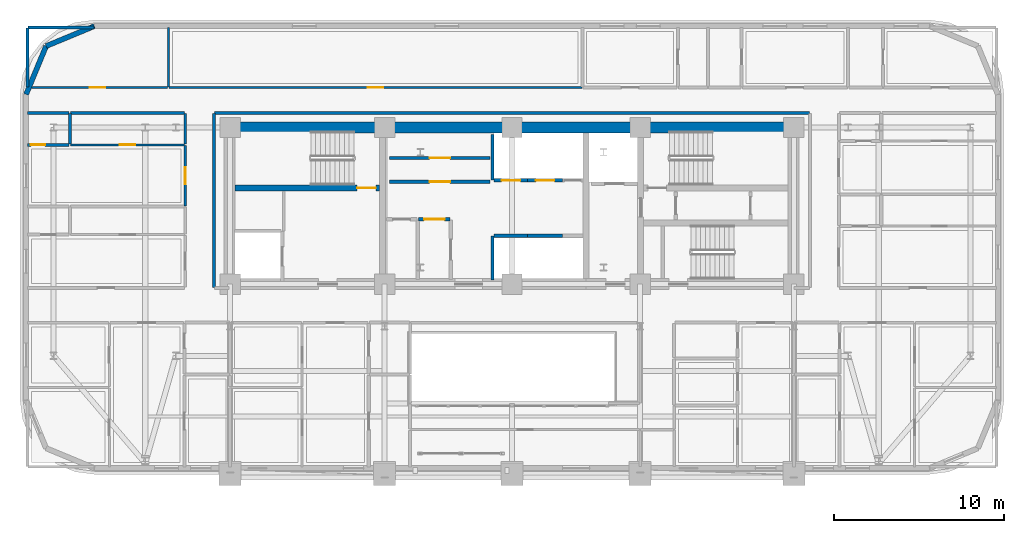
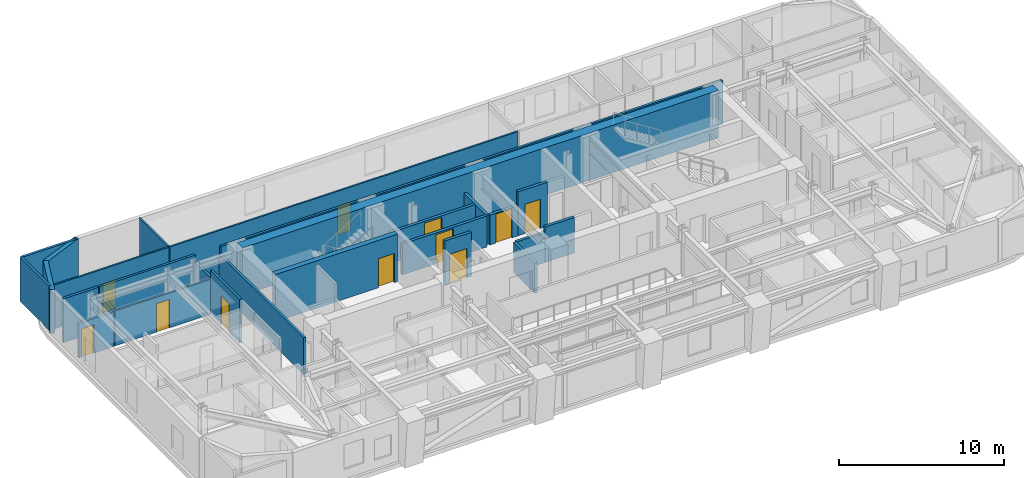
# One storey, part 10 of 16: 27 walls, 11 doors, 11 openings.
"""IFC4 building model written with IfcOpenShell, lengths in metres."""

from ifc_helpers import new_model, si_unit, direction, frame, frame_2d, origin, place, context, subcontext, project, spatial, rectangle, extrude, material, layer, layer_set, type_object, element, fill, save


model = new_model("IFC4")

# Units and contexts
model_context = context("Model", 3, precision=1e-05, world=origin(), true_north=direction((0.0, 1.0)))
body_context = subcontext(model_context, "Body", "Model", "MODEL_VIEW")
ifc_project = project(units=[si_unit("LENGTHUNIT", "METRE"), si_unit("AREAUNIT", "SQUARE_METRE"), si_unit("VOLUMEUNIT", "CUBIC_METRE"), si_unit("PLANEANGLEUNIT", "RADIAN"), si_unit("MASSUNIT", "GRAM", prefix="KILO")], contexts=[model_context])

# Site, building, storey
site_placement = place(None, origin())
site = spatial("IfcSite", under=ifc_project, at=site_placement, CompositionType="ELEMENT")
building_placement = place(site_placement, origin())
building = spatial("IfcBuilding", under=site, at=building_placement, Name="Zarnavel Station Tower", CompositionType="ELEMENT")
storey_placement = place(building_placement, frame((0.0, 0.0, 104.800048828125)))
storey = spatial("IfcBuildingStorey", under=building, at=storey_placement, Name="L28", CompositionType="ELEMENT", Elevation=104.800048828125)

# Wall, opening, door
ifc_material_1 = material(Name="Concrete C50/60", Category="concrete")
ifc_layer_1 = layer(ifc_material_1, 0.35009765625)
ifc_layer_set_1 = layer_set([ifc_layer_1], Name="CW_350")
wall_type_1 = type_object("IfcWallType", Name="CW_350", PredefinedType="SHEAR", material=ifc_layer_set_1)
wall_1_placement = place(storey_placement, frame((21.0048828125, 33.47998046875, 0.0), z_axis=(0.0, 0.0, 1.0), x_axis=(-1.0, 0.0, 0.0)))
wall_1 = element("IfcWall", 1, at=wall_1_placement, inside=storey, type_object=wall_type_1, Name="L28 Rear Core Shear Wall DIV-H1", PredefinedType="SHEAR", context=body_context, shape_type="SweptSolid", body=[
    extrude(rectangle(XDim=8.52978515625, YDim=0.35009765625, at=frame_2d((4.264892578125, 0.0))), origin(), (0.0, 0.0, 1.0), 3.5),
])
opening_1_placement = place(wall_1_placement, frame((0.219970703125, 0.0, 0.0)))
opening_1 = element("IfcOpeningElement", 2, at=opening_1_placement, cuts=wall_1, Name="Opening FD01", PredefinedType="OPENING", context=body_context, shape_type="SweptSolid", body=[
    extrude(rectangle(XDim=1.10009765625, YDim=2.14990234375, at=frame_2d((0.550048828125, 1.074951171875))), frame((0.0, 0.18505859375, 0.0), z_axis=(0.0, -1.0, 0.0), x_axis=(1.0, 0.0, 0.0)), (0.0, 0.0, 1.0), 0.3701171875),
])
ifc_material_2 = material(Name="Painted Galvanised Steel and Hardwood Leaf", Category="steel")
door_type_1 = type_object("IfcDoorType", Name="ID_STAIR_1100", OperationType="NOTDEFINED", PredefinedType="DOOR", material=ifc_material_2)
door_1_placement = place(opening_1_placement, origin())
door_1 = element("IfcDoor", 3, at=door_1_placement, inside=storey, type_object=door_type_1, Name="L28 Stair ST1 Lobby Fire Door", OperationType="SINGLE_SWING_LEFT", OverallHeight=2.14990234375, OverallWidth=1.10009765625, PredefinedType="DOOR", context=body_context, shape_type="SweptSolid", body=[
    extrude(rectangle(XDim=1.10009765625, YDim=2.14990234375, at=frame_2d((0.550048828125, 1.074951171875))), frame((0.0, 0.02490234375, 0.0), z_axis=(0.0, -1.0, 0.0), x_axis=(1.0, 0.0, 0.0)), (0.0, 0.0, 1.0), 0.050048828125),
])
fill(opening_1, door_1)

# Walls
ifc_material_3 = material(Name="Concrete C60/75", Category="concrete")
ifc_layer_2 = layer(ifc_material_3, 0.64990234375)
ifc_layer_set_2 = layer_set([ifc_layer_2], Name="CW_650")
wall_type_2 = type_object("IfcWallType", Name="CW_650", PredefinedType="SHEAR", material=ifc_layer_set_2)
wall_2_placement = place(storey_placement, frame((12.14990234375, 37.050048828125, 0.0), z_axis=(0.0, 0.0, 1.0), x_axis=(1.0, 0.0, 0.0)))
element("IfcWall", 4, at=wall_2_placement, inside=storey, type_object=wall_type_2, Name="L28 Rear Core Shear Wall N", PredefinedType="SHEAR", context=body_context, shape_type="SweptSolid", body=[
    extrude(rectangle(XDim=33.22998046875, YDim=0.64990234375, at=frame_2d((16.614990234375, 0.0))), origin(), (0.0, 0.0, 1.0), 3.5),
])
ifc_material_4 = material(Name="Precast concrete C45/55 (Dark Basalt Finish)", Category="masonry")
ifc_layer_3 = layer(ifc_material_4, 0.300048828125)
ifc_layer_set_3 = layer_set([ifc_layer_3], Name="EW_BASALT_300")
wall_type_3 = type_object("IfcWallType", Name="EW_BASALT_300", PredefinedType="SOLIDWALL", material=ifc_layer_set_3)
for number, where, z_axis, x_axis, name in (
    (5, (1.357421875, 41.842529296875, 0.0), (0.0, 0.0, 1.0), (0.923870793506, 0.382704529509, 0.0), "L28 Exterior Basalt Masonry Frame Wall 07"),
    (6, (0.179931640625, 39.0, 0.0), (0.0, 0.0, 1.0), (0.382704529509, 0.923870793506, 0.0), "L28 Exterior Basalt Masonry Frame Wall 08"),
):
    element("IfcWall", number, at=place(storey_placement, frame(where, z_axis=z_axis, x_axis=x_axis)), inside=storey, type_object=wall_type_3, Name=name, PredefinedType="SOLIDWALL", context=body_context, shape_type="SweptSolid", body=[
        extrude(rectangle(XDim=3.07666015625, YDim=0.300048828125, at=frame_2d((1.538330078125, 0.0))), origin(), (0.0, 0.0, 1.0), 3.239990234375),
    ])

# Wall, opening, door
ifc_material_5 = material(Name="Gypsum Twin-Stud Acoustic Fire Partition", Category="concrete")
ifc_layer_4 = layer(ifc_material_5, 0.159912109375)
ifc_layer_set_4 = layer_set([ifc_layer_4], Name="PT_DEMISE_160")
wall_type_4 = type_object("IfcWallType", Name="PT_DEMISE_160", PredefinedType="PARTITIONING", material=ifc_layer_set_4)
wall_3_placement = place(storey_placement, frame((9.550048828125, 32.430908203125, 0.0), z_axis=(0.0, 0.0, 1.0), x_axis=(0.0, 1.0, 0.0)))
wall_3 = element("IfcWall", 7, at=wall_3_placement, inside=storey, type_object=wall_type_4, Name="L28 Partition COR-W-FNW2R", PredefinedType="PARTITIONING", context=body_context, shape_type="SweptSolid", body=[
    extrude(rectangle(XDim=3.55615234375, YDim=0.159912109375, at=frame_2d((1.778076171875, 0.0))), origin(), (0.0, 0.0, 1.0), 3.239990234375),
])
opening_2_placement = place(wall_3_placement, frame((1.278076171875, 0.0, 0.0)))
opening_2 = element("IfcOpeningElement", 8, at=opening_2_placement, cuts=wall_3, Name="Opening FD02", PredefinedType="OPENING", context=body_context, shape_type="SweptSolid", body=[
    extrude(rectangle(XDim=1.0, YDim=2.14990234375, at=frame_2d((0.5, 1.074951171875))), frame((0.0, 0.08984375, 0.0), z_axis=(0.0, -1.0, 0.0), x_axis=(1.0, 0.0, 0.0)), (0.0, 0.0, 1.0), 0.179931640625),
])
ifc_material_6 = material(Name="Painted Galvanised Steel and Hardwood Leaf", Category="steel")
door_type_2 = type_object("IfcDoorType", Name="ID_ENTRY_1000", OperationType="NOTDEFINED", PredefinedType="DOOR", material=ifc_material_6)
door_2_placement = place(opening_2_placement, origin())
door_2 = element("IfcDoor", 9, at=door_2_placement, inside=storey, type_object=door_type_2, Name="L28 Door COR-W-FNW2R", OperationType="SINGLE_SWING_RIGHT", OverallHeight=2.14990234375, OverallWidth=1.0, PredefinedType="DOOR", context=body_context, shape_type="SweptSolid", body=[
    extrude(rectangle(XDim=1.0, YDim=2.14990234375, at=frame_2d((0.5, 1.074951171875))), frame((0.0, 0.02490234375, 0.0), z_axis=(0.0, -1.0, 0.0), x_axis=(1.0, 0.0, 0.0)), (0.0, 0.0, 1.0), 0.050048828125),
])
fill(opening_2, door_2)

# Walls
wall_4_placement = place(storey_placement, frame((9.550048828125, 36.06689453125, 0.0), z_axis=(0.0, 0.0, 1.0), x_axis=(0.0, 1.0, 0.0)))
element("IfcWall", 10, at=wall_4_placement, inside=storey, type_object=wall_type_4, Name="L28 Partition COR-W-FNW2S", PredefinedType="PARTITIONING", context=body_context, shape_type="SweptSolid", body=[
    extrude(rectangle(XDim=1.793212890625, YDim=0.159912109375, at=frame_2d((0.896484375, 0.0))), origin(), (0.0, 0.0, 1.0), 2.719970703125),
])
wall_5_placement = place(storey_placement, frame((2.800048828125, 37.89990234375, 0.0), z_axis=(0.0, 0.0, 1.0), x_axis=(1.0, 0.0, 0.0)))
element("IfcWall", 11, at=wall_5_placement, inside=storey, type_object=wall_type_4, Name="L28 Partition COR-N-FNW2S", PredefinedType="PARTITIONING", context=body_context, shape_type="SweptSolid", body=[
    extrude(rectangle(XDim=6.7099609375, YDim=0.159912109375, at=frame_2d((3.35498046875, 0.0))), origin(), (0.0, 0.0, 1.0), 3.239990234375),
])
wall_6_placement = place(storey_placement, frame((11.25, 27.6298828125, 0.0), z_axis=(0.0, 0.0, 1.0), x_axis=(0.0, 1.0, 0.0)))
element("IfcWall", 12, at=wall_6_placement, inside=storey, type_object=wall_type_4, Name="L28 Enclosure Wall COR-W", PredefinedType="PARTITIONING", context=body_context, shape_type="SweptSolid", body=[
    extrude(rectangle(XDim=10.240234375, YDim=0.159912109375, at=frame_2d((5.1201171875, 0.0))), origin(), (0.0, 0.0, 1.0), 2.719970703125),
])
wall_7_placement = place(storey_placement, frame((11.280029296875, 37.89990234375, 0.0), z_axis=(0.0, 0.0, 1.0), x_axis=(1.0, 0.0, 0.0)))
element("IfcWall", 13, at=wall_7_placement, inside=storey, type_object=wall_type_4, Name="L28 Enclosure Wall COR-N", PredefinedType="PARTITIONING", context=body_context, shape_type="SweptSolid", body=[
    extrude(rectangle(XDim=35.0400390625, YDim=0.159912109375, at=frame_2d((17.52001953125, 0.0))), origin(), (0.0, 0.0, 1.0), 3.239990234375),
])
wall_8_placement = place(storey_placement, frame((0.2900390625, 42.93994140625, 0.0), z_axis=(0.0, 0.0, 1.0), x_axis=(1.0, 0.0, 0.0)))
element("IfcWall", 14, at=wall_8_placement, inside=storey, type_object=wall_type_4, Name="L28 Enclosure Wall HSKP", PredefinedType="PARTITIONING", context=body_context, shape_type="SweptSolid", body=[
    extrude(rectangle(XDim=3.8798828125, YDim=0.159912109375, at=frame_2d((1.93994140625, 0.0))), origin(), (0.0, 0.0, 1.0), 3.239990234375),
])
wall_9_placement = place(storey_placement, frame((0.260009765625, 39.429931640625, 0.0), z_axis=(0.0, 0.0, 1.0), x_axis=(0.0, 1.0, 0.0)))
element("IfcWall", 15, at=wall_9_placement, inside=storey, type_object=wall_type_4, Name="L28 Enclosure Wall HSKP", PredefinedType="PARTITIONING", context=body_context, shape_type="SweptSolid", body=[
    extrude(rectangle(XDim=3.47998046875, YDim=0.159912109375, at=frame_2d((1.739990234375, 0.0))), origin(), (0.0, 0.0, 1.0), 3.239990234375),
])

# Wall, opening, door
ifc_material_7 = material(Name="Gypsum Metal-Stud Interior Partition", Category="concrete")
ifc_layer_5 = layer(ifc_material_7, 0.1201171875)
ifc_layer_set_5 = layer_set([ifc_layer_5], Name="PT_ROOM_120")
wall_type_5 = type_object("IfcWallType", Name="PT_ROOM_120", PredefinedType="PARTITIONING", material=ifc_layer_set_5)
wall_10_placement = place(storey_placement, frame((0.260009765625, 39.39990234375, 0.0), z_axis=(0.0, 0.0, 1.0), x_axis=(1.0, 0.0, 0.0)))
wall_10 = element("IfcWall", 16, at=wall_10_placement, inside=storey, type_object=wall_type_5, Name="L28 Partition COR-N-HSKP", PredefinedType="PARTITIONING", context=body_context, shape_type="SweptSolid", body=[
    extrude(rectangle(XDim=8.260009765625, YDim=0.1201171875, at=frame_2d((4.1298828125, 0.0))), origin(), (0.0, 0.0, 1.0), 3.239990234375),
])
opening_3_placement = place(wall_10_placement, frame((3.679931640625, 0.0, 0.0)))
opening_3 = element("IfcOpeningElement", 17, at=opening_3_placement, cuts=wall_10, Name="Opening ID01", PredefinedType="OPENING", context=body_context, shape_type="SweptSolid", body=[
    extrude(rectangle(XDim=0.89990234375, YDim=2.10009765625, at=frame_2d((0.449951171875, 1.050048828125))), frame((0.0, 0.070068359375, 0.0), z_axis=(0.0, -1.0, 0.0), x_axis=(1.0, 0.0, 0.0)), (0.0, 0.0, 1.0), 0.14013671875),
])
ifc_material_8 = material(Name="Painted Galvanised Steel and Hardwood Leaf", Category="steel")
door_type_3 = type_object("IfcDoorType", Name="ID_ROOM_900", OperationType="NOTDEFINED", PredefinedType="DOOR", material=ifc_material_8)
door_3_placement = place(opening_3_placement, origin())
door_3 = element("IfcDoor", 18, at=door_3_placement, inside=storey, type_object=door_type_3, Name="L28 Door COR-N-HSKP", OperationType="SINGLE_SWING_LEFT", OverallHeight=2.10009765625, OverallWidth=0.89990234375, PredefinedType="DOOR", context=body_context, shape_type="SweptSolid", body=[
    extrude(rectangle(XDim=0.89990234375, YDim=2.10009765625, at=frame_2d((0.449951171875, 1.050048828125))), frame((0.0, 0.02490234375, 0.0), z_axis=(0.0, -1.0, 0.0), x_axis=(1.0, 0.0, 0.0)), (0.0, 0.0, 1.0), 0.050048828125),
])
fill(opening_3, door_3)

wall_11_placement = place(storey_placement, frame((8.60009765625, 39.39990234375, 0.0), z_axis=(0.0, 0.0, 1.0), x_axis=(1.0, 0.0, 0.0)))
wall_11 = element("IfcWall", 19, at=wall_11_placement, inside=storey, type_object=wall_type_5, Name="L28 Partition COR-N-NCLB", PredefinedType="PARTITIONING", context=body_context, shape_type="SweptSolid", body=[
    extrude(rectangle(XDim=24.309814453125, YDim=0.1201171875, at=frame_2d((12.15478515625, 0.0))), origin(), (0.0, 0.0, 1.0), 3.239990234375),
])
opening_4_placement = place(wall_11_placement, frame((11.705078125, 0.0, 0.0)))
opening_4 = element("IfcOpeningElement", 20, at=opening_4_placement, cuts=wall_11, Name="Opening ID01", PredefinedType="OPENING", context=body_context, shape_type="SweptSolid", body=[
    extrude(rectangle(XDim=0.89990234375, YDim=2.10009765625, at=frame_2d((0.449951171875, 1.050048828125))), frame((0.0, 0.070068359375, 0.0), z_axis=(0.0, -1.0, 0.0), x_axis=(1.0, 0.0, 0.0)), (0.0, 0.0, 1.0), 0.14013671875),
])
door_4_placement = place(opening_4_placement, origin())
door_4 = element("IfcDoor", 21, at=door_4_placement, inside=storey, type_object=door_type_3, Name="L28 Door COR-N-NCLB", OperationType="SINGLE_SWING_RIGHT", OverallHeight=2.10009765625, OverallWidth=0.89990234375, PredefinedType="DOOR", context=body_context, shape_type="SweptSolid", body=[
    extrude(rectangle(XDim=0.89990234375, YDim=2.10009765625, at=frame_2d((0.449951171875, 1.050048828125))), frame((0.0, 0.02490234375, 0.0), z_axis=(0.0, -1.0, 0.0), x_axis=(1.0, 0.0, 0.0)), (0.0, 0.0, 1.0), 0.050048828125),
])
fill(opening_4, door_4)

wall_12_placement = place(storey_placement, frame((2.800048828125, 36.027099609375, 0.0), z_axis=(0.0, 0.0, 1.0), x_axis=(1.0, 0.0, 0.0)))
wall_12 = element("IfcWall", 22, at=wall_12_placement, inside=storey, type_object=wall_type_5, Name="L28 Partition FNW2R-FNW2S", PredefinedType="PARTITIONING", context=body_context, shape_type="SweptSolid", body=[
    extrude(rectangle(XDim=6.7099609375, YDim=0.1201171875, at=frame_2d((3.35498046875, 0.0))), origin(), (0.0, 0.0, 1.0), 2.570068359375),
])
opening_5_placement = place(wall_12_placement, frame((2.905029296875, 0.0, 0.0)))
opening_5 = element("IfcOpeningElement", 23, at=opening_5_placement, cuts=wall_12, Name="Opening ID01", PredefinedType="OPENING", context=body_context, shape_type="SweptSolid", body=[
    extrude(rectangle(XDim=0.89990234375, YDim=2.10009765625, at=frame_2d((0.449951171875, 1.050048828125))), frame((0.0, 0.070068359375, 0.0), z_axis=(0.0, -1.0, 0.0), x_axis=(1.0, 0.0, 0.0)), (0.0, 0.0, 1.0), 0.14013671875),
])
door_5_placement = place(opening_5_placement, origin())
door_5 = element("IfcDoor", 24, at=door_5_placement, inside=storey, type_object=door_type_3, Name="L28 Door FNW2R-FNW2S", OperationType="SINGLE_SWING_RIGHT", OverallHeight=2.10009765625, OverallWidth=0.89990234375, PredefinedType="DOOR", context=body_context, shape_type="SweptSolid", body=[
    extrude(rectangle(XDim=0.89990234375, YDim=2.10009765625, at=frame_2d((0.449951171875, 1.050048828125))), frame((0.0, 0.02490234375, 0.0), z_axis=(0.0, -1.0, 0.0), x_axis=(1.0, 0.0, 0.0)), (0.0, 0.0, 1.0), 0.050048828125),
])
fill(opening_5, door_5)

# Walls
wall_13_placement = place(storey_placement, frame((8.56005859375, 39.43994140625, 0.0), z_axis=(0.0, 0.0, 1.0), x_axis=(0.0, 1.0, 0.0)))
element("IfcWall", 25, at=wall_13_placement, inside=storey, type_object=wall_type_5, Name="L28 Partition HSKP-NCLB", PredefinedType="PARTITIONING", context=body_context, shape_type="SweptSolid", body=[
    extrude(rectangle(XDim=3.5, YDim=0.1201171875, at=frame_2d((1.75, 0.0))), origin(), (0.0, 0.0, 1.0), 3.239990234375),
])
ifc_material_9 = material(Name="Precast concrete C45/55 (Fire Shaft Blockwork)", Category="masonry")
ifc_layer_6 = layer(ifc_material_9, 0.199951171875)
ifc_layer_set_6 = layer_set([ifc_layer_6], Name="PT_SHAFT_200")
wall_type_6 = type_object("IfcWallType", Name="PT_SHAFT_200", PredefinedType="PARTITIONING", material=ifc_layer_set_6)
wall_14_placement = place(storey_placement, frame((27.75, 30.669921875, 0.0), z_axis=(0.0, 0.0, 1.0), x_axis=(1.0, 0.0, 0.0)))
element("IfcWall", 26, at=wall_14_placement, inside=storey, type_object=wall_type_6, Name="L28 Lift PL-H1 Shaft Front Wall", PredefinedType="PARTITIONING", context=body_context, shape_type="SweptSolid", body=[
    extrude(rectangle(XDim=1.97509765625, YDim=0.199951171875, at=frame_2d((0.987548828125, 0.0))), origin(), (0.0, 0.0, 1.0), 2.2119140625),
])
wall_15_placement = place(storey_placement, frame((27.64990234375, 28.070068359375, 0.0), z_axis=(0.0, 0.0, 1.0), x_axis=(0.0, 1.0, 0.0)))
element("IfcWall", 27, at=wall_15_placement, inside=storey, type_object=wall_type_6, Name="L28 High-Rise Lift Bank West Shaft Wall", PredefinedType="PARTITIONING", context=body_context, shape_type="SweptSolid", body=[
    extrude(rectangle(XDim=2.579833984375, YDim=0.199951171875, at=frame_2d((1.2900390625, 0.0))), origin(), (0.0, 0.0, 1.0), 2.2119140625),
])
wall_16_placement = place(storey_placement, frame((29.72509765625, 30.669921875, 0.0), z_axis=(0.0, 0.0, 1.0), x_axis=(1.0, 0.0, 0.0)))
element("IfcWall", 28, at=wall_16_placement, inside=storey, type_object=wall_type_6, Name="L28 Lift PL-H2 Shaft Front Wall", PredefinedType="PARTITIONING", context=body_context, shape_type="SweptSolid", body=[
    extrude(rectangle(XDim=2.0498046875, YDim=0.199951171875, at=frame_2d((1.02490234375, 0.0))), origin(), (0.0, 0.0, 1.0), 2.619873046875),
])

# Wall, opening, door
wall_17_placement = place(storey_placement, frame((27.75, 33.929931640625, 0.0), z_axis=(0.0, 0.0, 1.0), x_axis=(1.0, 0.0, 0.0)))
wall_17 = element("IfcWall", 29, at=wall_17_placement, inside=storey, type_object=wall_type_6, Name="L28 Lift PL-M1 Shaft Front Wall", PredefinedType="PARTITIONING", context=body_context, shape_type="SweptSolid", body=[
    extrude(rectangle(XDim=1.97509765625, YDim=0.199951171875, at=frame_2d((0.987548828125, 0.0))), origin(), (0.0, 0.0, 1.0), 2.2119140625),
])
opening_6_placement = place(wall_17_placement, frame((0.4375, 0.0, 0.0)))
opening_6 = element("IfcOpeningElement", 30, at=opening_6_placement, cuts=wall_17, Name="Opening LD02", PredefinedType="OPENING", context=body_context, shape_type="SweptSolid", body=[
    extrude(rectangle(XDim=1.10009765625, YDim=2.14990234375, at=frame_2d((0.550048828125, 1.074951171875))), frame((0.0, 0.10986328125, 0.0), z_axis=(0.0, -1.0, 0.0), x_axis=(1.0, 0.0, 0.0)), (0.0, 0.0, 1.0), 0.219970703125),
])
ifc_material_10 = material(Name="Painted Galvanised Steel and Hardwood Leaf", Category="steel")
door_type_4 = type_object("IfcDoorType", Name="LD_PAX_1100", OperationType="DOUBLE_DOOR_SLIDING", PredefinedType="DOOR", material=ifc_material_10)
door_6_placement = place(opening_6_placement, origin())
door_6 = element("IfcDoor", 31, at=door_6_placement, inside=storey, type_object=door_type_4, Name="L28 Lift PL-M1 Sliding Landing Door", OperationType="DOUBLE_DOOR_SLIDING", OverallHeight=2.14990234375, OverallWidth=1.10009765625, PredefinedType="DOOR", context=body_context, shape_type="SweptSolid", body=[
    extrude(rectangle(XDim=1.10009765625, YDim=2.14990234375, at=frame_2d((0.550048828125, 1.074951171875))), frame((0.0, 0.02490234375, 0.0), z_axis=(0.0, -1.0, 0.0), x_axis=(1.0, 0.0, 0.0)), (0.0, 0.0, 1.0), 0.050048828125),
])
fill(opening_6, door_6)

# Wall
wall_18_placement = place(storey_placement, frame((27.64990234375, 33.949951171875, 0.0), z_axis=(0.0, 0.0, 1.0), x_axis=(0.0, 1.0, 0.0)))
element("IfcWall", 32, at=wall_18_placement, inside=storey, type_object=wall_type_6, Name="L28 Mid-Rise Lift Bank West Shaft Wall", PredefinedType="PARTITIONING", context=body_context, shape_type="SweptSolid", body=[
    extrude(rectangle(XDim=2.679931640625, YDim=0.199951171875, at=frame_2d((1.33984375, 0.0))), origin(), (0.0, 0.0, 1.0), 2.2119140625),
])

# Wall, opening, door
wall_19_placement = place(storey_placement, frame((29.72509765625, 33.929931640625, 0.0), z_axis=(0.0, 0.0, 1.0), x_axis=(1.0, 0.0, 0.0)))
wall_19 = element("IfcWall", 33, at=wall_19_placement, inside=storey, type_object=wall_type_6, Name="L28 Lift PL-M2 Shaft Front Wall", PredefinedType="PARTITIONING", context=body_context, shape_type="SweptSolid", body=[
    extrude(rectangle(XDim=2.0498046875, YDim=0.199951171875, at=frame_2d((1.02490234375, 0.0))), origin(), (0.0, 0.0, 1.0), 3.239990234375),
])
opening_7_placement = place(wall_19_placement, frame((0.47509765625, 0.0, 0.0)))
opening_7 = element("IfcOpeningElement", 34, at=opening_7_placement, cuts=wall_19, Name="Opening LD02", PredefinedType="OPENING", context=body_context, shape_type="SweptSolid", body=[
    extrude(rectangle(XDim=1.10009765625, YDim=2.14990234375, at=frame_2d((0.550048828125, 1.074951171875))), frame((0.0, 0.10986328125, 0.0), z_axis=(0.0, -1.0, 0.0), x_axis=(1.0, 0.0, 0.0)), (0.0, 0.0, 1.0), 0.219970703125),
])
door_7_placement = place(opening_7_placement, origin())
door_7 = element("IfcDoor", 35, at=door_7_placement, inside=storey, type_object=door_type_4, Name="L28 Lift PL-M2 Sliding Landing Door", OperationType="DOUBLE_DOOR_SLIDING", OverallHeight=2.14990234375, OverallWidth=1.10009765625, PredefinedType="DOOR", context=body_context, shape_type="SweptSolid", body=[
    extrude(rectangle(XDim=1.10009765625, YDim=2.14990234375, at=frame_2d((0.550048828125, 1.074951171875))), frame((0.0, 0.02490234375, 0.0), z_axis=(0.0, -1.0, 0.0), x_axis=(1.0, 0.0, 0.0)), (0.0, 0.0, 1.0), 0.050048828125),
])
fill(opening_7, door_7)

wall_20_placement = place(storey_placement, frame((23.2900390625, 31.64990234375, 0.0), z_axis=(0.0, 0.0, 1.0), x_axis=(1.0, 0.0, 0.0)))
wall_20 = element("IfcWall", 36, at=wall_20_placement, inside=storey, type_object=wall_type_6, Name="L28 Partition LLOB-CS2", PredefinedType="PARTITIONING", context=body_context, shape_type="SweptSolid", body=[
    extrude(rectangle(XDim=1.869873046875, YDim=0.199951171875, at=frame_2d((0.93505859375, 0.0))), origin(), (0.0, 0.0, 1.0), 3.239990234375),
])
opening_8_placement = place(wall_20_placement, frame((0.3349609375, 0.0, 0.0)))
opening_8 = element("IfcOpeningElement", 37, at=opening_8_placement, cuts=wall_20, Name="Opening FD03", PredefinedType="OPENING", context=body_context, shape_type="SweptSolid", body=[
    extrude(rectangle(XDim=1.199951171875, YDim=2.14990234375, at=frame_2d((0.60009765625, 1.074951171875))), frame((0.0, 0.10986328125, 0.0), z_axis=(0.0, -1.0, 0.0), x_axis=(1.0, 0.0, 0.0)), (0.0, 0.0, 1.0), 0.219970703125),
])
ifc_material_11 = material(Name="Painted Galvanised Steel and Hardwood Leaf", Category="steel")
door_type_5 = type_object("IfcDoorType", Name="ID_PLANT_1200", OperationType="NOTDEFINED", PredefinedType="DOOR", material=ifc_material_11)
door_8_placement = place(opening_8_placement, origin())
door_8 = element("IfcDoor", 38, at=door_8_placement, inside=storey, type_object=door_type_5, Name="L28 Door LLOB-CS2", OperationType="SINGLE_SWING_LEFT", OverallHeight=2.14990234375, OverallWidth=1.199951171875, PredefinedType="DOOR", context=body_context, shape_type="SweptSolid", body=[
    extrude(rectangle(XDim=1.199951171875, YDim=2.14990234375, at=frame_2d((0.60009765625, 1.074951171875))), frame((0.0, 0.02490234375, 0.0), z_axis=(0.0, -1.0, 0.0), x_axis=(1.0, 0.0, 0.0)), (0.0, 0.0, 1.0), 0.050048828125),
])
fill(opening_8, door_8)

wall_21_placement = place(storey_placement, frame((21.590087890625, 33.85009765625, 0.0), z_axis=(0.0, 0.0, 1.0), x_axis=(1.0, 0.0, 0.0)))
wall_21 = element("IfcWall", 39, at=wall_21_placement, inside=storey, type_object=wall_type_6, Name="L28 Partition LLOB-FB1A", PredefinedType="PARTITIONING", context=body_context, shape_type="SweptSolid", body=[
    extrude(rectangle(XDim=5.919921875, YDim=0.199951171875, at=frame_2d((2.9599609375, 0.0))), origin(), (0.0, 0.0, 1.0), 2.280029296875),
])
opening_9_placement = place(wall_21_placement, frame((2.360107421875, 0.0, 0.0)))
opening_9 = element("IfcOpeningElement", 40, at=opening_9_placement, cuts=wall_21, Name="Opening FD03", PredefinedType="OPENING", context=body_context, shape_type="SweptSolid", body=[
    extrude(rectangle(XDim=1.199951171875, YDim=2.14990234375, at=frame_2d((0.60009765625, 1.074951171875))), frame((0.0, 0.10986328125, 0.0), z_axis=(0.0, -1.0, 0.0), x_axis=(1.0, 0.0, 0.0)), (0.0, 0.0, 1.0), 0.219970703125),
])
door_9_placement = place(opening_9_placement, origin())
door_9 = element("IfcDoor", 41, at=door_9_placement, inside=storey, type_object=door_type_5, Name="L28 Door LLOB-FB1A", OperationType="SINGLE_SWING_RIGHT", OverallHeight=2.14990234375, OverallWidth=1.199951171875, PredefinedType="DOOR", context=body_context, shape_type="SweptSolid", body=[
    extrude(rectangle(XDim=1.199951171875, YDim=2.14990234375, at=frame_2d((0.60009765625, 1.074951171875))), frame((0.0, 0.02490234375, 0.0), z_axis=(0.0, -1.0, 0.0), x_axis=(1.0, 0.0, 0.0)), (0.0, 0.0, 1.0), 0.050048828125),
])
fill(opening_9, door_9)

wall_22_placement = place(storey_placement, frame((21.590087890625, 35.25, 0.0), z_axis=(0.0, 0.0, 1.0), x_axis=(1.0, 0.0, 0.0)))
wall_22 = element("IfcWall", 42, at=wall_22_placement, inside=storey, type_object=wall_type_6, Name="L28 Partition FB1A-FB1B", PredefinedType="PARTITIONING", context=body_context, shape_type="SweptSolid", body=[
    extrude(rectangle(XDim=5.919921875, YDim=0.199951171875, at=frame_2d((2.9599609375, 0.0))), origin(), (0.0, 0.0, 1.0), 2.280029296875),
])
opening_10_placement = place(wall_22_placement, frame((2.360107421875, 0.0, 0.0)))
opening_10 = element("IfcOpeningElement", 43, at=opening_10_placement, cuts=wall_22, Name="Opening FD03", PredefinedType="OPENING", context=body_context, shape_type="SweptSolid", body=[
    extrude(rectangle(XDim=1.199951171875, YDim=2.14990234375, at=frame_2d((0.60009765625, 1.074951171875))), frame((0.0, 0.10986328125, 0.0), z_axis=(0.0, -1.0, 0.0), x_axis=(1.0, 0.0, 0.0)), (0.0, 0.0, 1.0), 0.219970703125),
])
door_10_placement = place(opening_10_placement, origin())
door_10 = element("IfcDoor", 44, at=door_10_placement, inside=storey, type_object=door_type_5, Name="L28 Door FB1A-FB1B", OperationType="SINGLE_SWING_RIGHT", OverallHeight=2.14990234375, OverallWidth=1.199951171875, PredefinedType="DOOR", context=body_context, shape_type="SweptSolid", body=[
    extrude(rectangle(XDim=1.199951171875, YDim=2.14990234375, at=frame_2d((0.60009765625, 1.074951171875))), frame((0.0, 0.02490234375, 0.0), z_axis=(0.0, -1.0, 0.0), x_axis=(1.0, 0.0, 0.0)), (0.0, 0.0, 1.0), 0.050048828125),
])
fill(opening_10, door_10)

# Wall
ifc_material_12 = material(Name="Moisture-Resistant Plumbing Chase Wall", Category="concrete")
ifc_layer_7 = layer(ifc_material_12, 0.179931640625)
ifc_layer_set_7 = layer_set([ifc_layer_7], Name="PW_PLUMB_180")
wall_type_7 = type_object("IfcWallType", Name="PW_PLUMB_180", PredefinedType="PLUMBINGWALL", material=ifc_layer_set_7)
wall_23_placement = place(storey_placement, frame((0.260009765625, 37.89990234375, 0.0), z_axis=(0.0, 0.0, 1.0), x_axis=(1.0, 0.0, 0.0)))
element("IfcWall", 45, at=wall_23_placement, inside=storey, type_object=wall_type_7, Name="L28 Partition COR-N-FNW2B", PredefinedType="PLUMBINGWALL", context=body_context, shape_type="SweptSolid", body=[
    extrude(rectangle(XDim=2.4599609375, YDim=0.179931640625, at=frame_2d((1.22998046875, 0.0))), origin(), (0.0, 0.0, 1.0), 3.239990234375),
])

# Wall, opening, door
wall_24_placement = place(storey_placement, frame((0.260009765625, 36.027099609375, 0.0), z_axis=(0.0, 0.0, 1.0), x_axis=(1.0, 0.0, 0.0)))
wall_24 = element("IfcWall", 46, at=wall_24_placement, inside=storey, type_object=wall_type_7, Name="L28 Partition FNW2R-FNW2B", PredefinedType="PLUMBINGWALL", context=body_context, shape_type="SweptSolid", body=[
    extrude(rectangle(XDim=2.4599609375, YDim=0.179931640625, at=frame_2d((1.22998046875, 0.0))), origin(), (0.0, 0.0, 1.0), 2.570068359375),
])
opening_11_placement = place(wall_24_placement, frame((0.1953125, 0.0, 0.0)))
opening_11 = element("IfcOpeningElement", 47, at=opening_11_placement, cuts=wall_24, Name="Opening ID02", PredefinedType="OPENING", context=body_context, shape_type="SweptSolid", body=[
    extrude(rectangle(XDim=0.85009765625, YDim=2.10009765625, at=frame_2d((0.425048828125, 1.050048828125))), frame((0.0, 0.099853515625, 0.0), z_axis=(0.0, -1.0, 0.0), x_axis=(1.0, 0.0, 0.0)), (0.0, 0.0, 1.0), 0.199951171875),
])
ifc_material_13 = material(Name="Painted Galvanised Steel and Hardwood Leaf", Category="steel")
door_type_6 = type_object("IfcDoorType", Name="ID_BATH_850", OperationType="NOTDEFINED", PredefinedType="DOOR", material=ifc_material_13)
door_11_placement = place(opening_11_placement, origin())
door_11 = element("IfcDoor", 48, at=door_11_placement, inside=storey, type_object=door_type_6, Name="L28 Door FNW2R-FNW2B", OperationType="SINGLE_SWING_LEFT", OverallHeight=2.10009765625, OverallWidth=0.85009765625, PredefinedType="DOOR", context=body_context, shape_type="SweptSolid", body=[
    extrude(rectangle(XDim=0.85009765625, YDim=2.10009765625, at=frame_2d((0.425048828125, 1.050048828125))), frame((0.0, 0.02490234375, 0.0), z_axis=(0.0, -1.0, 0.0), x_axis=(1.0, 0.0, 0.0)), (0.0, 0.0, 1.0), 0.050048828125),
])
fill(opening_11, door_11)

# Wall
wall_25_placement = place(storey_placement, frame((2.760009765625, 36.06689453125, 0.0), z_axis=(0.0, 0.0, 1.0), x_axis=(0.0, 1.0, 0.0)))
element("IfcWall", 49, at=wall_25_placement, inside=storey, type_object=wall_type_7, Name="L28 Partition FNW2B-FNW2S", PredefinedType="PLUMBINGWALL", context=body_context, shape_type="SweptSolid", body=[
    extrude(rectangle(XDim=1.793212890625, YDim=0.179931640625, at=frame_2d((0.896484375, 0.0))), origin(), (0.0, 0.0, 1.0), 2.719970703125),
])

save(model, "model.ifc")
